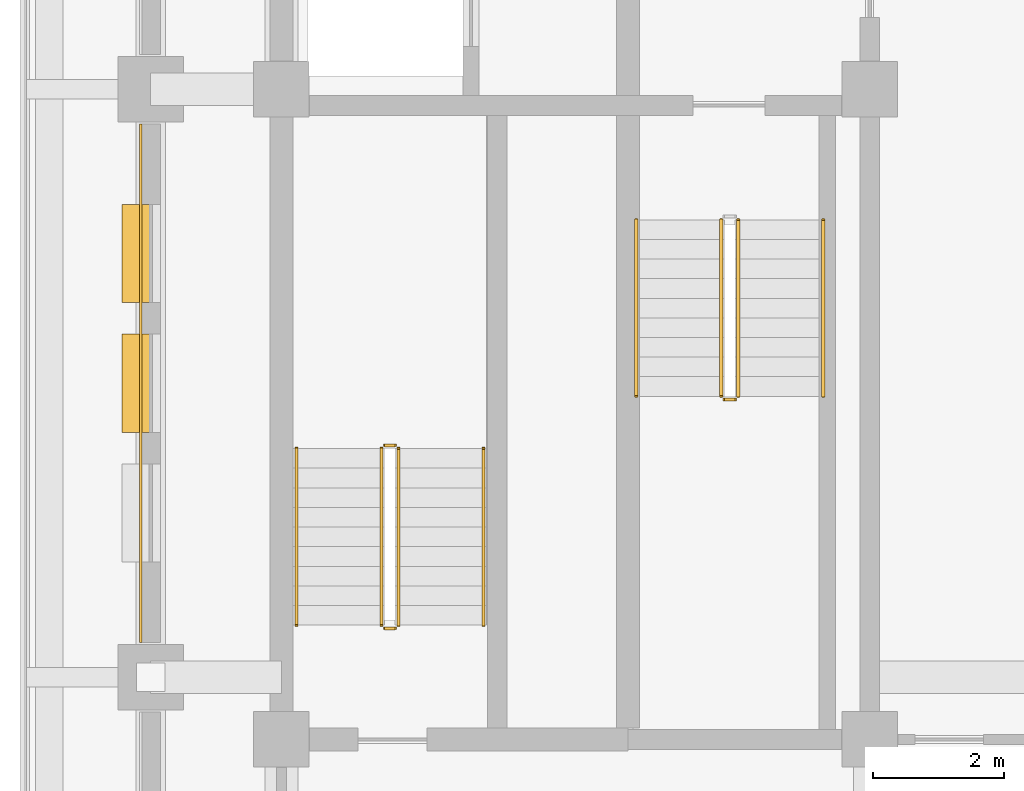
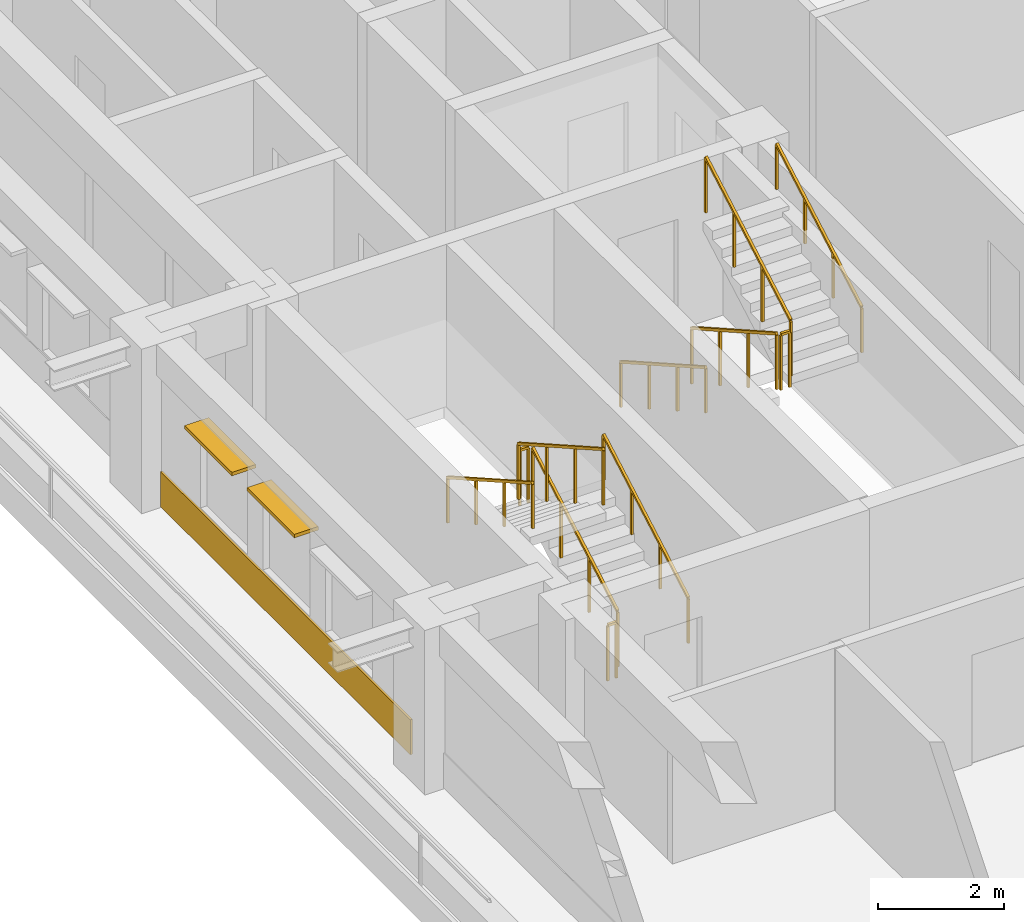
# One storey, part 9 of 14: 11 railings, 2 shading devices, 1 covering.
"""IFC4 building model written with IfcOpenShell, lengths in metres."""

from ifc_helpers import new_model, si_unit, direction, frame, frame_2d, origin, origin_2d, place, context, subcontext, project, spatial, rectangle, extrude, material, layer, layer_set, type_object, element, save


model = new_model("IFC4")

# Units and contexts
model_context = context("Model", 3, precision=1e-05, world=origin(), true_north=direction((0.0, 1.0)))
body_context = subcontext(model_context, "Body", "Model", "MODEL_VIEW")
ifc_project = project(units=[si_unit("LENGTHUNIT", "METRE"), si_unit("AREAUNIT", "SQUARE_METRE"), si_unit("VOLUMEUNIT", "CUBIC_METRE"), si_unit("PLANEANGLEUNIT", "RADIAN"), si_unit("MASSUNIT", "GRAM", prefix="KILO")], contexts=[model_context])

# Site, building, storey
site_placement = place(None, origin())
site = spatial("IfcSite", under=ifc_project, at=site_placement, CompositionType="ELEMENT")
building_placement = place(site_placement, origin())
building = spatial("IfcBuilding", under=site, at=building_placement, Name="Zulmaris Gate Convention Tower", CompositionType="ELEMENT")
storey_placement = place(building_placement, frame((0.0, 0.0, 162.659912109375)))
storey = spatial("IfcBuildingStorey", under=building, at=storey_placement, Name="L41", CompositionType="ELEMENT", Elevation=162.659912109375)

# Covering
ifc_material_1 = material(Name="Precast concrete C40/50", Category="concrete")
ifc_layer_1 = layer(ifc_material_1, 0.0400390625, Name="Precast concrete C40/50")
ifc_layer_set_1 = layer_set([ifc_layer_1], Name="Precast concrete C40/50")
covering_type = type_object("IfcCoveringType", Name="CLAD-SPANDREL-PRECAST", PredefinedType="CLADDING", material=ifc_layer_set_1)
covering_placement = place(storey_placement, frame((-22.14990234375, -0.530029296875, 0.0), z_axis=(0.0, 0.0, 1.0), x_axis=(0.0, -1.0, 0.0)))
element("IfcCovering", 1, at=covering_placement, inside=storey, type_object=covering_type, Name="CLD-L41-W-1_0", PredefinedType="CLADDING", context=body_context, shape_type="SweptSolid", body=[
    extrude(rectangle(XDim=7.93994140625, YDim=0.0400390625, at=frame_2d((3.969970703125, 0.0))), origin(), (0.0, 0.0, 1.0), 0.679931640625),
])

# Railings
ifc_material_2 = material(Name="Painted Galvanised Steel", Category="steel")
railing_type_1 = type_object("IfcRailingType", Name="RL-STG-1150", PredefinedType="GUARDRAIL", material=ifc_material_2)
railing_1_placement = place(storey_placement, frame((-13.27001953125, -2.0, 0.169921875)))
element("IfcRailing", 2, at=railing_1_placement, inside=storey, type_object=railing_type_1, Name="L41 ST-1 stair guard 1", PredefinedType="GUARDRAIL", context=body_context, shape_type="SweptSolid", body=[
    extrude(rectangle(XDim=0.048095703125, YDim=0.048095703125, at=origin_2d()), frame((0.0, 0.0, 1.076171875), z_axis=(0.0, -0.870014312096, 0.49302646658), x_axis=(1.0, 0.0, 0.0)), (0.0, 0.0, 1.0), 3.103271484375),
    extrude(rectangle(XDim=0.0419921875, YDim=0.0419921875, at=origin_2d()), origin(), (0.0, 0.0, 1.0), 1.052001953125),
    extrude(rectangle(XDim=0.0419921875, YDim=0.0419921875, at=origin_2d()), frame((0.0, -0.89990234375, 0.510009765625)), (0.0, 0.0, 1.0), 1.052001953125),
    extrude(rectangle(XDim=0.0419921875, YDim=0.0419921875, at=origin_2d()), frame((0.0, -1.800048828125, 1.02001953125)), (0.0, 0.0, 1.0), 1.052001953125),
    extrude(rectangle(XDim=0.0419921875, YDim=0.0419921875, at=origin_2d()), frame((0.0, -2.699951171875, 1.530029296875)), (0.0, 0.0, 1.0), 1.052001953125),
])
railing_2_placement = place(storey_placement, frame((-13.219970703125, -4.75, 1.699951171875)))
element("IfcRailing", 3, at=railing_2_placement, inside=storey, type_object=railing_type_1, Name="L41 ST-1 stair guard 2", PredefinedType="GUARDRAIL", context=body_context, shape_type="SweptSolid", body=[
    extrude(rectangle(XDim=0.048095703125, YDim=0.048095703125, at=origin_2d()), frame((0.0, 0.0, 1.076171875), z_axis=(1.0, 0.0, 0.0), x_axis=(0.0, 1.0, 0.0)), (0.0, 0.0, 1.0), 0.159912109375),
    extrude(rectangle(XDim=0.0419921875, YDim=0.0419921875, at=origin_2d()), origin(), (0.0, 0.0, 1.0), 1.052001953125),
    extrude(rectangle(XDim=0.0419921875, YDim=0.0419921875, at=origin_2d()), frame((0.159912109375, 0.0, 0.0)), (0.0, 0.0, 1.0), 1.052001953125),
])
for number, where, name in (
    (4, (-13.010009765625, -4.699951171875, 1.869873046875), "L41 ST-1 stair guard 3"),
    (5, (-18.2099609375, -8.199951171875, 0.169921875), "L41 ST-3 stair guard 1"),
):
    element("IfcRailing", number, at=place(storey_placement, frame(where)), inside=storey, type_object=railing_type_1, Name=name, PredefinedType="GUARDRAIL", context=body_context, shape_type="SweptSolid", body=[
        extrude(rectangle(XDim=0.048095703125, YDim=0.048095703125, at=origin_2d()), frame((0.0, 0.0, 1.076171875), z_axis=(0.0, 0.870014312096, 0.49302646658), x_axis=(-1.0, 0.0, 0.0)), (0.0, 0.0, 1.0), 3.103271484375),
        extrude(rectangle(XDim=0.0419921875, YDim=0.0419921875, at=origin_2d()), origin(), (0.0, 0.0, 1.0), 1.052001953125),
        extrude(rectangle(XDim=0.0419921875, YDim=0.0419921875, at=origin_2d()), frame((0.0, 0.89990234375, 0.510009765625)), (0.0, 0.0, 1.0), 1.052001953125),
        extrude(rectangle(XDim=0.0419921875, YDim=0.0419921875, at=origin_2d()), frame((0.0, 1.800048828125, 1.02001953125)), (0.0, 0.0, 1.0), 1.052001953125),
        extrude(rectangle(XDim=0.0419921875, YDim=0.0419921875, at=origin_2d()), frame((0.0, 2.699951171875, 1.530029296875)), (0.0, 0.0, 1.0), 1.052001953125),
    ])
railing_3_placement = place(storey_placement, frame((-18.260009765625, -5.449951171875, 1.699951171875)))
element("IfcRailing", 6, at=railing_3_placement, inside=storey, type_object=railing_type_1, Name="L41 ST-3 stair guard 2", PredefinedType="GUARDRAIL", context=body_context, shape_type="SweptSolid", body=[
    extrude(rectangle(XDim=0.048095703125, YDim=0.048095703125, at=origin_2d()), frame((0.0, 0.0, 1.076171875), z_axis=(-1.0, 0.0, 0.0), x_axis=(0.0, -1.0, 0.0)), (0.0, 0.0, 1.0), 0.159912109375),
    extrude(rectangle(XDim=0.0419921875, YDim=0.0419921875, at=origin_2d()), origin(), (0.0, 0.0, 1.0), 1.052001953125),
    extrude(rectangle(XDim=0.0419921875, YDim=0.0419921875, at=origin_2d()), frame((-0.159912109375, 0.0, 0.0)), (0.0, 0.0, 1.0), 1.052001953125),
])
railing_4_placement = place(storey_placement, frame((-18.469970703125, -5.5, 1.869873046875)))
element("IfcRailing", 7, at=railing_4_placement, inside=storey, type_object=railing_type_1, Name="L41 ST-3 stair guard 3", PredefinedType="GUARDRAIL", context=body_context, shape_type="SweptSolid", body=[
    extrude(rectangle(XDim=0.048095703125, YDim=0.048095703125, at=origin_2d()), frame((0.0, 0.0, 1.076171875), z_axis=(0.0, -0.870014312096, 0.49302646658), x_axis=(1.0, 0.0, 0.0)), (0.0, 0.0, 1.0), 3.103271484375),
    extrude(rectangle(XDim=0.0419921875, YDim=0.0419921875, at=origin_2d()), origin(), (0.0, 0.0, 1.0), 1.052001953125),
    extrude(rectangle(XDim=0.0419921875, YDim=0.0419921875, at=origin_2d()), frame((0.0, -0.89990234375, 0.510009765625)), (0.0, 0.0, 1.0), 1.052001953125),
    extrude(rectangle(XDim=0.0419921875, YDim=0.0419921875, at=origin_2d()), frame((0.0, -1.800048828125, 1.02001953125)), (0.0, 0.0, 1.0), 1.052001953125),
    extrude(rectangle(XDim=0.0419921875, YDim=0.0419921875, at=origin_2d()), frame((0.0, -2.699951171875, 1.530029296875)), (0.0, 0.0, 1.0), 1.052001953125),
])
railing_5_placement = place(storey_placement, frame((-18.260009765625, -8.25, 0.0)))
element("IfcRailing", 8, at=railing_5_placement, inside=storey, type_object=railing_type_1, Name="L41 ST-3 stair guard 4", PredefinedType="GUARDRAIL", context=body_context, shape_type="SweptSolid", body=[
    extrude(rectangle(XDim=0.048095703125, YDim=0.048095703125, at=origin_2d()), frame((0.0, 0.0, 1.076171875), z_axis=(-1.0, 0.0, 0.0), x_axis=(0.0, -1.0, 0.0)), (0.0, 0.0, 1.0), 0.159912109375),
    extrude(rectangle(XDim=0.0419921875, YDim=0.0419921875, at=origin_2d()), origin(), (0.0, 0.0, 1.0), 1.052001953125),
    extrude(rectangle(XDim=0.0419921875, YDim=0.0419921875, at=origin_2d()), frame((-0.159912109375, 0.0, 0.0)), (0.0, 0.0, 1.0), 1.052001953125),
])
ifc_material_3 = material(Name="Brushed Stainless Steel", Category="steel")
railing_type_2 = type_object("IfcRailingType", Name="RL-STH-900", PredefinedType="HANDRAIL", material=ifc_material_3)
railing_6_placement = place(storey_placement, frame((-14.570068359375, -2.0, 0.169921875)))
element("IfcRailing", 9, at=railing_6_placement, inside=storey, type_object=railing_type_2, Name="L41 ST-1 stair handrail 1", PredefinedType="HANDRAIL", context=body_context, shape_type="SweptSolid", body=[
    extrude(rectangle(XDim=0.048095703125, YDim=0.048095703125, at=origin_2d()), frame((0.0, 0.0, 0.8759765625), z_axis=(0.0, -0.870014312096, 0.49302646658), x_axis=(1.0, 0.0, 0.0)), (0.0, 0.0, 1.0), 3.103271484375),
    extrude(rectangle(XDim=0.0419921875, YDim=0.0419921875, at=origin_2d()), origin(), (0.0, 0.0, 1.0), 0.851806640625),
    extrude(rectangle(XDim=0.0419921875, YDim=0.0419921875, at=origin_2d()), frame((0.0, -0.89990234375, 0.510009765625)), (0.0, 0.0, 1.0), 0.851806640625),
    extrude(rectangle(XDim=0.0419921875, YDim=0.0419921875, at=origin_2d()), frame((0.0, -1.800048828125, 1.02001953125)), (0.0, 0.0, 1.0), 0.851806640625),
    extrude(rectangle(XDim=0.0419921875, YDim=0.0419921875, at=origin_2d()), frame((0.0, -2.699951171875, 1.530029296875)), (0.0, 0.0, 1.0), 0.851806640625),
])
for number, where, name in (
    (10, (-11.7099609375, -4.699951171875, 1.869873046875), "L41 ST-1 stair handrail 2"),
    (11, (-16.909912109375, -8.199951171875, 0.169921875), "L41 ST-3 stair handrail 1"),
):
    element("IfcRailing", number, at=place(storey_placement, frame(where)), inside=storey, type_object=railing_type_2, Name=name, PredefinedType="HANDRAIL", context=body_context, shape_type="SweptSolid", body=[
        extrude(rectangle(XDim=0.048095703125, YDim=0.048095703125, at=origin_2d()), frame((0.0, 0.0, 0.8759765625), z_axis=(0.0, 0.870014312096, 0.49302646658), x_axis=(-1.0, 0.0, 0.0)), (0.0, 0.0, 1.0), 3.103271484375),
        extrude(rectangle(XDim=0.0419921875, YDim=0.0419921875, at=origin_2d()), origin(), (0.0, 0.0, 1.0), 0.851806640625),
        extrude(rectangle(XDim=0.0419921875, YDim=0.0419921875, at=origin_2d()), frame((0.0, 0.89990234375, 0.510009765625)), (0.0, 0.0, 1.0), 0.851806640625),
        extrude(rectangle(XDim=0.0419921875, YDim=0.0419921875, at=origin_2d()), frame((0.0, 1.800048828125, 1.02001953125)), (0.0, 0.0, 1.0), 0.851806640625),
        extrude(rectangle(XDim=0.0419921875, YDim=0.0419921875, at=origin_2d()), frame((0.0, 2.699951171875, 1.530029296875)), (0.0, 0.0, 1.0), 0.851806640625),
    ])
railing_7_placement = place(storey_placement, frame((-19.77001953125, -5.5, 1.869873046875)))
element("IfcRailing", 12, at=railing_7_placement, inside=storey, type_object=railing_type_2, Name="L41 ST-3 stair handrail 2", PredefinedType="HANDRAIL", context=body_context, shape_type="SweptSolid", body=[
    extrude(rectangle(XDim=0.048095703125, YDim=0.048095703125, at=origin_2d()), frame((0.0, 0.0, 0.8759765625), z_axis=(0.0, -0.870014312096, 0.49302646658), x_axis=(1.0, 0.0, 0.0)), (0.0, 0.0, 1.0), 3.103271484375),
    extrude(rectangle(XDim=0.0419921875, YDim=0.0419921875, at=origin_2d()), origin(), (0.0, 0.0, 1.0), 0.851806640625),
    extrude(rectangle(XDim=0.0419921875, YDim=0.0419921875, at=origin_2d()), frame((0.0, -0.89990234375, 0.510009765625)), (0.0, 0.0, 1.0), 0.851806640625),
    extrude(rectangle(XDim=0.0419921875, YDim=0.0419921875, at=origin_2d()), frame((0.0, -1.800048828125, 1.02001953125)), (0.0, 0.0, 1.0), 0.851806640625),
    extrude(rectangle(XDim=0.0419921875, YDim=0.0419921875, at=origin_2d()), frame((0.0, -2.699951171875, 1.530029296875)), (0.0, 0.0, 1.0), 0.851806640625),
])

# Shading devices
ifc_material_4 = material(Name="Glazed Ceramic Terracotta", Category="masonry")
ifc_layer_2 = layer(ifc_material_4, 0.070068359375, Name="Glazed Ceramic Terracotta")
ifc_layer_set_2 = layer_set([ifc_layer_2], Name="Glazed Ceramic Terracotta")
shading_device_type = type_object("IfcShadingDeviceType", Name="SHD-SUNSHADE-TC", PredefinedType="AWNING", material=ifc_layer_set_2)
for number, where, z_axis, x_axis, name in (
    (13, (-22.219970703125, -1.764892578125, 2.35009765625), (0.0, 0.0, 1.0), (0.0, -1.0, 0.0), "SHD-EW-L41-W-1_0-1"),
    (14, (-22.219970703125, -3.75, 2.35009765625), (0.0, 0.0, 1.0), (0.0, -1.0, 0.0), "SHD-EW-L41-W-1_0-2"),
):
    element("IfcShadingDevice", number, at=place(storey_placement, frame(where, z_axis=z_axis, x_axis=x_axis)), inside=storey, type_object=shading_device_type, Name=name, PredefinedType="AWNING", context=body_context, shape_type="SweptSolid", body=[
        extrude(rectangle(XDim=1.5, YDim=0.43994140625, at=frame_2d((0.75, 0.0))), origin(), (0.0, 0.0, 1.0), 0.06982421875),
    ])

save(model, "model.ifc")
